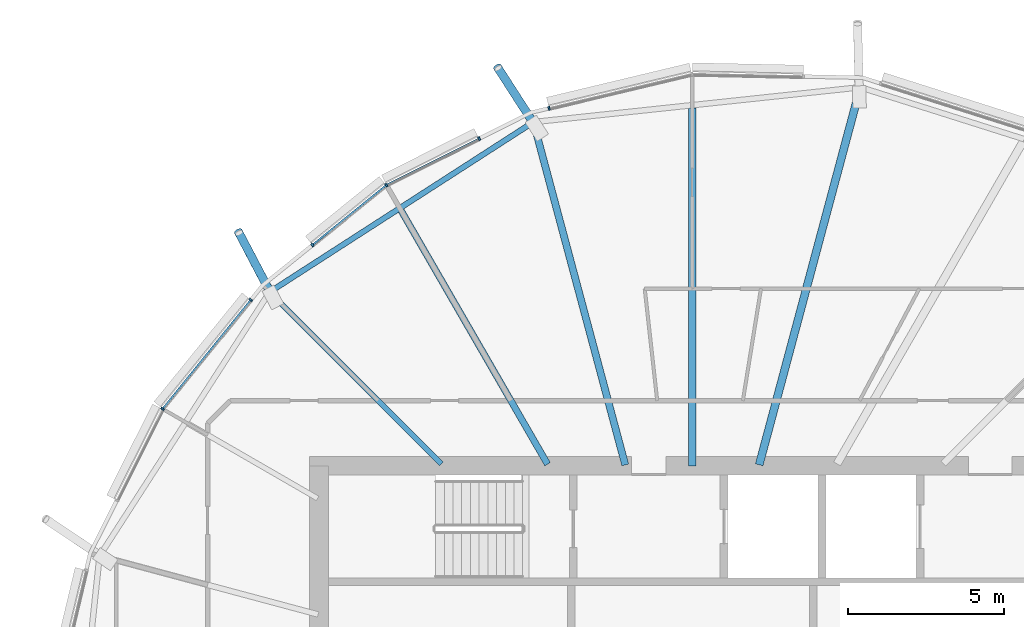
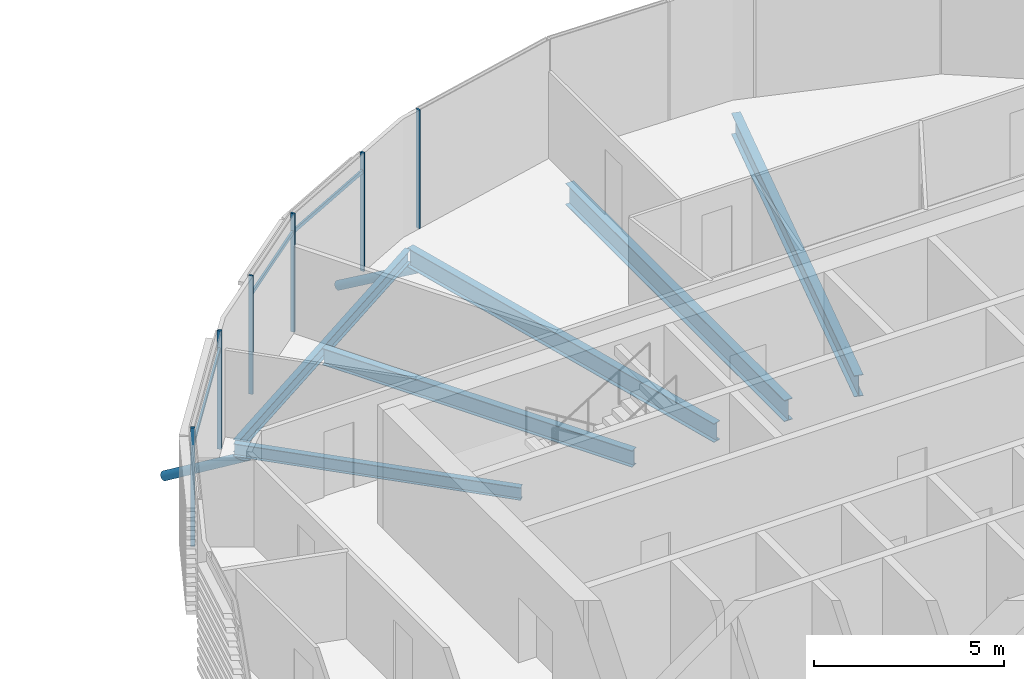
# One storey, part 16 of 38: 11 members, 6 beams, 1 element without a shape of its own.
"""IFC4 building model written with IfcOpenShell, lengths in metres."""

from ifc_helpers import new_model, si_unit, direction, frame, origin, origin_2d, place, context, subcontext, project, spatial, rectangle, hollow_circle, i_section, extrude, clip, halfspace, material, material_profile, profile_set, type_object, element, aggregate, save


model = new_model("IFC4")

# Units and contexts
model_context = context("Model", 3, precision=1e-05, world=origin(), true_north=direction((0.0, 1.0)))
body_context = subcontext(model_context, "Body", "Model", "MODEL_VIEW")
ifc_project = project(units=[si_unit("LENGTHUNIT", "METRE"), si_unit("AREAUNIT", "SQUARE_METRE"), si_unit("VOLUMEUNIT", "CUBIC_METRE"), si_unit("PLANEANGLEUNIT", "RADIAN"), si_unit("MASSUNIT", "GRAM", prefix="KILO")], contexts=[model_context])

# Site, building, storey
site_placement = place(None, origin())
site = spatial("IfcSite", under=ifc_project, at=site_placement, CompositionType="ELEMENT")
building_placement = place(site_placement, origin())
building = spatial("IfcBuilding", under=site, at=building_placement, Name="Rimbun Link Towers", CompositionType="ELEMENT")
storey_placement = place(building_placement, frame((0.0, 0.0, 185.5)))
storey = spatial("IfcBuildingStorey", under=building, at=storey_placement, Name="L45", CompositionType="ELEMENT", Elevation=185.5)

# Curtain wall, members
ifc_material_1 = material(Name="Aluminium 6063-T6 and low-iron glass", Category="aluminium")
curtain_wall_type = type_object("IfcCurtainWallType", Name="CW1-Z3 unitised vision wall (zone 3)", PredefinedType="NOTDEFINED", material=ifc_material_1)
curtain_wall_placement = place(storey_placement, origin())
curtain_wall = element("IfcCurtainWall", 1, at=curtain_wall_placement, inside=storey, type_object=curtain_wall_type, Name="CW1 L45 T2", PredefinedType="NOTDEFINED")
ifc_material_2 = material(Name="Aluminium 6063-T6", Category="aluminium")
ifc_material_profile_1 = material_profile(ifc_material_2, rectangle(XDim=0.1201171875, YDim=0.06005859375, at=origin_2d()), Name="MULLION 60X120")
ifc_profile_set_1 = profile_set([ifc_material_profile_1], Name="Aluminium 6063-T6")
member_type_1 = type_object("IfcMemberType", Name="CW1 mullion 60X120", PredefinedType="MULLION", material=ifc_profile_set_1)
member_1_placement = place(storey_placement, frame((27.14892578125, 19.495361328125, 0.0), z_axis=(0.0, 0.0, 1.0), x_axis=(-0.232596033225, 0.972573434414, 0.0)))
member_1 = element("IfcMember", 2, at=member_1_placement, type_object=member_type_1, Name="CW1 mullion", PredefinedType="MULLION", context=body_context, shape_type="SweptSolid", body=[
    extrude(rectangle(XDim=0.1201171875, YDim=0.06005859375, at=origin_2d()), origin(), (0.0, 0.0, 1.0), 3.800048828125),
])
member_2_placement = place(storey_placement, frame((21.91796875, 17.0234375, 0.0), z_axis=(0.0, 0.0, 1.0), x_axis=(-0.542094317248, 0.840317648992, 0.0)))
member_2 = element("IfcMember", 3, at=member_2_placement, type_object=member_type_1, Name="CW1 mullion", PredefinedType="MULLION", context=body_context, shape_type="SweptSolid", body=[
    extrude(rectangle(XDim=0.1201171875, YDim=0.06005859375, at=origin_2d()), origin(), (0.0, 0.0, 1.0), 3.800048828125),
])
member_3_placement = place(storey_placement, frame((24.899169921875, 18.52099609375, 0.0), z_axis=(0.0, 0.0, 1.0), x_axis=(-0.448780599884, 0.893641971467, 0.0)))
member_3 = element("IfcMember", 4, at=member_3_placement, type_object=member_type_1, Name="CW1 mullion", PredefinedType="MULLION", context=body_context, shape_type="SweptSolid", body=[
    extrude(rectangle(XDim=0.1201171875, YDim=0.06005859375, at=origin_2d()), origin(), (0.0, 0.0, 1.0), 3.800048828125),
])
member_4_placement = place(storey_placement, frame((19.541748046875, 15.100341796875, 0.0), z_axis=(0.0, 0.0, 1.0), x_axis=(-0.629146339344, 0.777286873483, 0.0)))
member_4 = element("IfcMember", 5, at=member_4_placement, type_object=member_type_1, Name="CW1 mullion", PredefinedType="MULLION", context=body_context, shape_type="SweptSolid", body=[
    extrude(rectangle(XDim=0.1201171875, YDim=0.06005859375, at=origin_2d()), origin(), (0.0, 0.0, 1.0), 3.800048828125),
])
member_5_placement = place(storey_placement, frame((14.7265625, 9.83203125, 0.0), z_axis=(0.0, 0.0, 1.0), x_axis=(-0.840317648992, 0.542094317248, 0.0)))
member_5 = element("IfcMember", 6, at=member_5_placement, type_object=member_type_1, Name="CW1 mullion", PredefinedType="MULLION", context=body_context, shape_type="SweptSolid", body=[
    extrude(rectangle(XDim=0.1201171875, YDim=0.06005859375, at=origin_2d()), origin(), (0.0, 0.0, 1.0), 3.800048828125),
])
member_6_placement = place(storey_placement, frame((17.561767578125, 13.33544921875, 0.0), z_axis=(0.0, 0.0, 1.0), x_axis=(-0.777286873483, 0.629146339344, 0.0)))
member_6 = element("IfcMember", 7, at=member_6_placement, type_object=member_type_1, Name="CW1 mullion", PredefinedType="MULLION", context=body_context, shape_type="SweptSolid", body=[
    extrude(rectangle(XDim=0.1201171875, YDim=0.06005859375, at=origin_2d()), origin(), (0.0, 0.0, 1.0), 3.800048828125),
])
ifc_material_3 = material(Name="Aluminium 6063-T6", Category="aluminium")
ifc_material_profile_2 = material_profile(ifc_material_3, rectangle(XDim=0.06005859375, YDim=0.1201171875, at=origin_2d()), Name="TRANSOM 60X120")
ifc_profile_set_2 = profile_set([ifc_material_profile_2], Name="Aluminium 6063-T6")
member_type_2 = type_object("IfcMemberType", Name="CW1 transom 60X120", PredefinedType="USERDEFINED", material=ifc_profile_set_2)
member_7_placement = place(storey_placement, frame((21.951416015625, 17.038330078125, 3.199951171875), z_axis=(0.89364927564, 0.44876605503, 0.0), x_axis=(-0.44876605503, 0.89364927564, 0.0)))
member_7 = element("IfcMember", 8, at=member_7_placement, type_object=member_type_2, Name="CW1 transom", ObjectType="TRANSOM", PredefinedType="USERDEFINED", context=body_context, shape_type="SweptSolid", body=[
    extrude(rectangle(XDim=0.06005859375, YDim=0.1201171875, at=origin_2d()), origin(), (0.0, 0.0, 1.0), 3.26953125),
])
member_8_placement = place(storey_placement, frame((19.566162109375, 15.11767578125, 3.199951171875), z_axis=(0.777296195394, 0.629134822296, 0.0), x_axis=(-0.629134822296, 0.777296195394, 0.0)))
member_8 = element("IfcMember", 9, at=member_8_placement, type_object=member_type_2, Name="CW1 transom", ObjectType="TRANSOM", PredefinedType="USERDEFINED", context=body_context, shape_type="SweptSolid", body=[
    extrude(rectangle(XDim=0.06005859375, YDim=0.1201171875, at=origin_2d()), origin(), (0.0, 0.0, 1.0), 2.99072265625),
])
member_9_placement = place(storey_placement, frame((14.750732421875, 9.859130859375, 3.199951171875), z_axis=(0.629130217393, 0.777299922529, 0.0), x_axis=(-0.777299922529, 0.629130217393, 0.0)))
member_9 = element("IfcMember", 10, at=member_9_placement, type_object=member_type_2, Name="CW1 transom", ObjectType="TRANSOM", PredefinedType="USERDEFINED", context=body_context, shape_type="SweptSolid", body=[
    extrude(rectangle(XDim=0.06005859375, YDim=0.1201171875, at=origin_2d()), origin(), (0.0, 0.0, 1.0), 4.440673828125),
])
aggregate(curtain_wall, [member_1, member_2, member_3, member_4, member_5, member_6, member_7, member_8, member_9])

# Members
ifc_material_4 = material(Name="Steel S355J2H", Category="steel")
ifc_material_profile_3 = material_profile(ifc_material_4, hollow_circle(Radius=0.136474609375, WallThickness=0.012451171875, at=origin_2d()), Name="CHS 273x12.5")
ifc_profile_set_3 = profile_set([ifc_material_profile_3], Name="Steel S355J2H")
member_type_3 = type_object("IfcMemberType", Name="Floor edge link CHS 273x12.5", PredefinedType="BRACE", material=ifc_profile_set_3)
member_10_placement = place(storey_placement, frame((26.658203125, 19.002685546875, -0.87158203125), z_axis=(-0.473222549607, 0.735021951403, -0.485595664621), x_axis=(-0.840809650504, -0.541330889216, 0.0)))
element("IfcMember", 11, at=member_10_placement, inside=storey, type_object=member_type_3, Name="Floor edge link T2 L45 04", PredefinedType="BRACE", context=body_context, shape_type="Clipping", body=[
    clip(extrude(hollow_circle(Radius=0.136474609375, WallThickness=0.012451171875, at=origin_2d()), frame((0.0, 0.0, -0.511962890625)), (0.0, 0.0, 1.0), 2.998291015625), halfspace(frame((0.0, 0.0, -0.240966796875), z_axis=(0.0, 0.874183533648, -0.485595664621)), False)),
])
member_11_placement = place(storey_placement, frame((18.19921875, 13.55078125, -0.672119140625), z_axis=(-0.394902600958, 0.752199830229, -0.527491565014), x_axis=(-0.885399021855, -0.464831767523, 0.0)))
element("IfcMember", 12, at=member_11_placement, inside=storey, type_object=member_type_3, Name="Floor edge link T2 L45 06", PredefinedType="BRACE", context=body_context, shape_type="Clipping", body=[
    clip(extrude(hollow_circle(Radius=0.136474609375, WallThickness=0.012451171875, at=origin_2d()), frame((0.0, 0.0, -0.45849609375)), (0.0, 0.0, 1.0), 3.100830078125), halfspace(frame((0.0, 0.0, -0.215576171875), z_axis=(0.0, 0.849560267927, -0.527491565014)), False)),
])

# Beams
ifc_material_5 = material(Name="Steel S355J2", Category="steel")
ifc_material_profile_4 = material_profile(ifc_material_5, i_section(OverallWidth=0.177978515625, OverallDepth=0.406494140625, WebThickness=0.0078125, FlangeThickness=0.0126953125, at=origin_2d()), Name="UB 406x178x60")
ifc_profile_set_4 = profile_set([ifc_material_profile_4], Name="Steel S355J2")
beam_type_1 = type_object("IfcBeamType", Name="UB 406x178x60", PredefinedType="BEAM", material=ifc_profile_set_4)
beam_1_placement = place(storey_placement, frame((23.686279296875, 8.063720703125, -0.353271484375), z_axis=(-0.707106781187, 0.707106781187, 0.0), x_axis=(-0.707106781187, -0.707106781187, 0.0)))
element("IfcBeam", 13, at=beam_1_placement, inside=storey, type_object=beam_type_1, Name="Radial beam T2 L45 06", PredefinedType="BEAM", context=body_context, shape_type="SweptSolid", body=[
    extrude(i_section(OverallWidth=0.177978515625, OverallDepth=0.406494140625, WebThickness=0.0078125, FlangeThickness=0.0126953125, at=origin_2d()), origin(), (0.0, 0.0, 1.0), 7.81005859375),
])
beam_2_placement = place(storey_placement, frame((26.5439453125, 18.985595703125, -0.353271484375), z_axis=(-0.840619053894, -0.541626814541, 0.0), x_axis=(0.541626814541, -0.840619053894, 0.0)))
element("IfcBeam", 14, at=beam_2_placement, inside=storey, type_object=beam_type_1, Name="Edge beam T2 L45 04-06", PredefinedType="BEAM", context=body_context, shape_type="SweptSolid", body=[
    extrude(i_section(OverallWidth=0.177978515625, OverallDepth=0.406494140625, WebThickness=0.0078125, FlangeThickness=0.0126953125, at=origin_2d()), origin(), (0.0, 0.0, 1.0), 9.876953125),
])
ifc_material_6 = material(Name="Steel S355J2", Category="steel")
ifc_material_profile_5 = material_profile(ifc_material_6, i_section(OverallWidth=0.209228515625, OverallDepth=0.533203125, WebThickness=0.010009765625, FlangeThickness=0.015625, at=origin_2d()), Name="UB 533x210x92")
ifc_profile_set_5 = profile_set([ifc_material_profile_5], Name="Steel S355J2")
beam_type_2 = type_object("IfcBeamType", Name="UB 533x210x92", PredefinedType="BEAM", material=ifc_profile_set_5)
beam_3_placement = place(storey_placement, frame((27.1005859375, 8.05322265625, -0.41650390625), z_axis=(-0.50001657107, 0.866015836261, 0.0), x_axis=(-0.866015836261, -0.50001657107, 0.0)))
element("IfcBeam", 15, at=beam_3_placement, inside=storey, type_object=beam_type_2, Name="Radial beam T2 L45 05", PredefinedType="BEAM", context=body_context, shape_type="SweptSolid", body=[
    extrude(i_section(OverallWidth=0.209228515625, OverallDepth=0.533203125, WebThickness=0.010009765625, FlangeThickness=0.015625, at=origin_2d()), origin(), (0.0, 0.0, 1.0), 9.412841796875),
])
ifc_material_7 = material(Name="Steel S355J2", Category="steel")
ifc_material_profile_6 = material_profile(ifc_material_7, i_section(OverallWidth=0.2275390625, OverallDepth=0.6025390625, WebThickness=0.010498046875, FlangeThickness=0.014892578125, at=origin_2d()), Name="UB 610x229x101")
ifc_profile_set_6 = profile_set([ifc_material_profile_6], Name="Steel S355J2")
beam_type_3 = type_object("IfcBeamType", Name="UB 610x229x101", PredefinedType="BEAM", material=ifc_profile_set_6)
beam_4_placement = place(storey_placement, frame((29.598388671875, 8.030517578125, -0.451416015625), z_axis=(-0.258839837013, 0.965920254873, 0.0), x_axis=(-0.965920254873, -0.258839837013, 0.0)))
element("IfcBeam", 16, at=beam_4_placement, inside=storey, type_object=beam_type_3, Name="Radial beam T2 L45 04", PredefinedType="BEAM", context=body_context, shape_type="SweptSolid", body=[
    extrude(i_section(OverallWidth=0.2275390625, OverallDepth=0.6025390625, WebThickness=0.010498046875, FlangeThickness=0.014892578125, at=origin_2d()), origin(), (0.0, 0.0, 1.0), 11.4091796875),
])
ifc_material_8 = material(Name="Steel S355J2", Category="steel")
ifc_material_profile_7 = material_profile(ifc_material_8, i_section(OverallWidth=0.253662109375, OverallDepth=0.68359375, WebThickness=0.012451171875, FlangeThickness=0.01904296875, at=origin_2d()), Name="UB 686x254x140")
ifc_profile_set_7 = profile_set([ifc_material_profile_7], Name="Steel S355J2")
beam_type_4 = type_object("IfcBeamType", Name="UB 686x254x140", PredefinedType="BEAM", material=ifc_profile_set_7)
beam_5_placement = place(storey_placement, frame((33.902587890625, 8.03369140625, -0.49169921875), z_axis=(0.258825757589, 0.965924027659, 0.0), x_axis=(-0.965924027659, 0.258825757589, 0.0)))
element("IfcBeam", 17, at=beam_5_placement, inside=storey, type_object=beam_type_4, Name="Radial beam T2 L45 02", PredefinedType="BEAM", context=body_context, shape_type="SweptSolid", body=[
    extrude(i_section(OverallWidth=0.253662109375, OverallDepth=0.68359375, WebThickness=0.012451171875, FlangeThickness=0.01904296875, at=origin_2d()), origin(), (0.0, 0.0, 1.0), 12.474609375),
])
beam_6_placement = place(storey_placement, frame((31.75, 8.0009765625, -0.49169921875), z_axis=(0.0, 1.0, 0.0), x_axis=(-1.0, 0.0, 0.0)))
element("IfcBeam", 18, at=beam_6_placement, inside=storey, type_object=beam_type_4, Name="Radial beam T2 L45 03", PredefinedType="BEAM", context=body_context, shape_type="SweptSolid", body=[
    extrude(i_section(OverallWidth=0.253662109375, OverallDepth=0.68359375, WebThickness=0.012451171875, FlangeThickness=0.01904296875, at=origin_2d()), origin(), (0.0, 0.0, 1.0), 11.503173828125),
])

save(model, "model.ifc")
